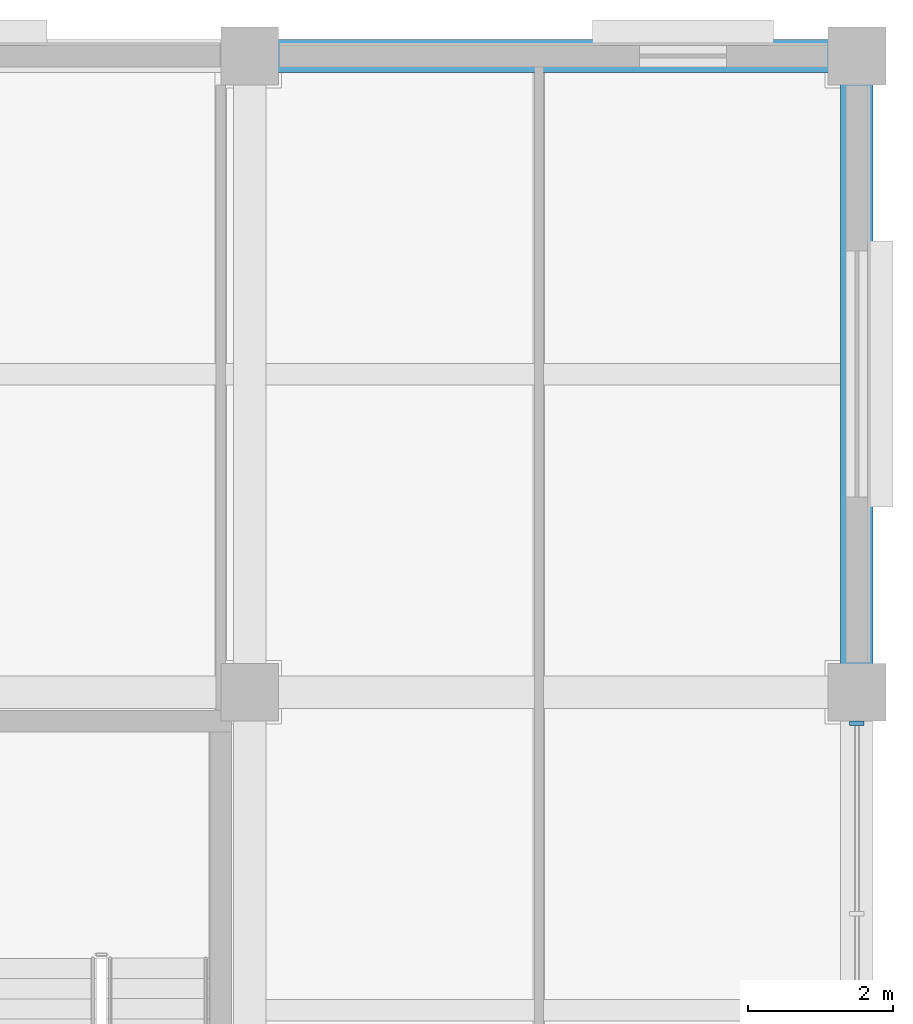
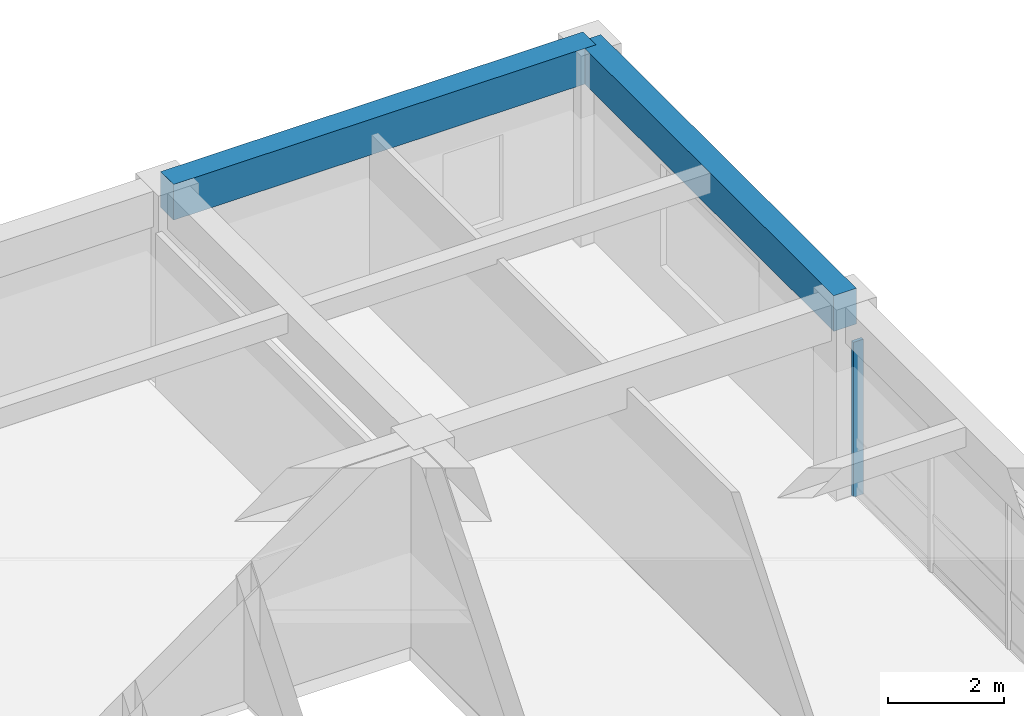
# One storey, part 31 of 49: 2 beams, 1 member, 1 element without a shape of its own.
"""IFC4 building model written with IfcOpenShell, lengths in metres."""

from ifc_helpers import new_model, si_unit, direction, frame, origin, origin_2d, place, context, subcontext, project, spatial, rectangle, extrude, material, material_profile, profile_set, type_object, element, aggregate, save


model = new_model("IFC4")

# Units and contexts
model_context = context("Model", 3, precision=1e-05, world=origin(), true_north=direction((0.0, 1.0)))
body_context = subcontext(model_context, "Body", "Model", "MODEL_VIEW")
ifc_project = project(units=[si_unit("LENGTHUNIT", "METRE"), si_unit("AREAUNIT", "SQUARE_METRE"), si_unit("VOLUMEUNIT", "CUBIC_METRE"), si_unit("PLANEANGLEUNIT", "RADIAN"), si_unit("MASSUNIT", "GRAM", prefix="KILO")], contexts=[model_context])

# Site, building, storey
site_placement = place(None, origin())
site = spatial("IfcSite", under=ifc_project, at=site_placement, CompositionType="ELEMENT")
building_placement = place(site_placement, origin())
building = spatial("IfcBuilding", under=site, at=building_placement, Name="Kemercrest Conservatory and Botanical Centre", CompositionType="ELEMENT")
storey_placement = place(building_placement, frame((0.0, 0.0, 13.199951171875)))
storey = spatial("IfcBuildingStorey", under=building, at=storey_placement, Name="L03", CompositionType="ELEMENT", Elevation=13.199951171875)

# Curtain wall, member
ifc_material_1 = material(Name="Thermally broken aluminium and triple low-e glazing", Category="aluminium")
curtain_wall_type = type_object("IfcCurtainWallType", Name="CW-06", PredefinedType="USERDEFINED", material=ifc_material_1)
curtain_wall_placement = place(storey_placement, origin())
curtain_wall = element("IfcCurtainWall", 1, at=curtain_wall_placement, inside=storey, type_object=curtain_wall_type, Name="Unitised curtain wall CW-06 (CW:L03:V4-065)", ObjectType="UNITISED CURTAIN WALL", PredefinedType="USERDEFINED")
ifc_material_2 = material(Name="Thermally broken anodized aluminium 6063-T6", Category="aluminium")
ifc_material_profile_1 = material_profile(ifc_material_2, rectangle(XDim=0.199951171875, YDim=0.06494140625, at=origin_2d()), Name="AL MULLION 65x200")
ifc_profile_set_1 = profile_set([ifc_material_profile_1], Name="Thermally broken anodized aluminium 6063-T6")
member_type = type_object("IfcMemberType", Name="CW-M200", PredefinedType="MULLION", material=ifc_profile_set_1)
member_placement = place(storey_placement, frame((176.0, 113.172607421875, 0.0), z_axis=(0.0, 0.0, 1.0), x_axis=(-1.0, 0.0, 0.0)))
member = element("IfcMember", 2, at=member_placement, type_object=member_type, Name="CW-06 mullion 4", PredefinedType="MULLION", context=body_context, shape_type="SweptSolid", body=[
    extrude(rectangle(XDim=0.199951171875, YDim=0.06494140625, at=origin_2d()), origin(), (0.0, 0.0, 1.0), 3.255126953125),
])
aggregate(curtain_wall, [member])

# Beams
ifc_material_3 = material(Name="Concrete C40/50", Category="concrete")
ifc_material_profile_2 = material_profile(ifc_material_3, rectangle(XDim=0.449951171875, YDim=0.75, at=origin_2d()), Name="RC 450x750")
ifc_profile_set_2 = profile_set([ifc_material_profile_2], Name="Concrete C40/50")
beam_type = type_object("IfcBeamType", Name="SP-RC75", PredefinedType="SPANDREL", material=ifc_profile_set_2)
beam_1_placement = place(storey_placement, frame((167.60009765625, 122.39990234375, 3.625), z_axis=(1.0, 0.0, 0.0), x_axis=(0.0, 1.0, 0.0)))
element("IfcBeam", 3, at=beam_1_placement, inside=storey, type_object=beam_type, Name="V4-L04 beam SP-RC75 P/20-21", PredefinedType="SPANDREL", context=body_context, shape_type="SweptSolid", body=[
    extrude(rectangle(XDim=0.449951171875, YDim=0.75, at=origin_2d()), origin(), (0.0, 0.0, 1.0), 8.39990234375),
])
beam_2_placement = place(storey_placement, frame((176.0, 113.60009765625, 3.625), z_axis=(0.0, 1.0, 0.0), x_axis=(-1.0, 0.0, 0.0)))
element("IfcBeam", 4, at=beam_2_placement, inside=storey, type_object=beam_type, Name="V4-L04 beam SP-RC75 21/N-P", PredefinedType="SPANDREL", context=body_context, shape_type="SweptSolid", body=[
    extrude(rectangle(XDim=0.449951171875, YDim=0.75, at=origin_2d()), origin(), (0.0, 0.0, 1.0), 8.7998046875),
])

save(model, "model.ifc")
